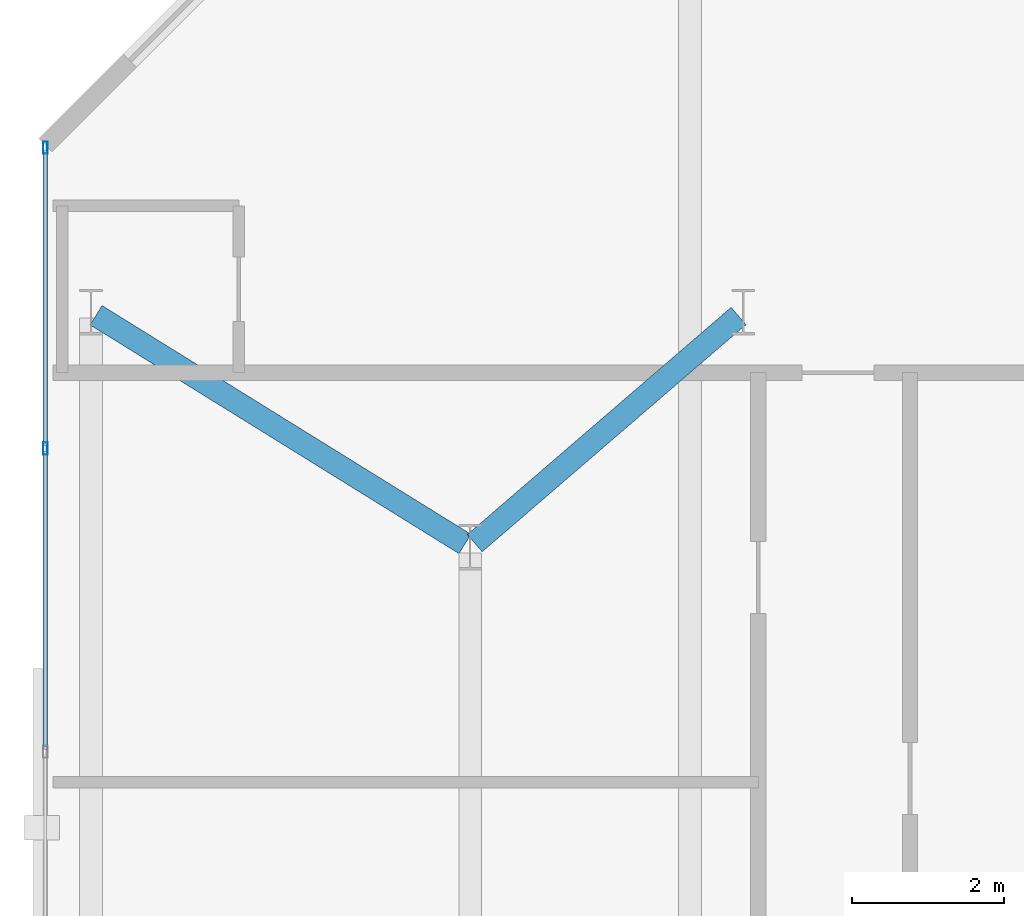
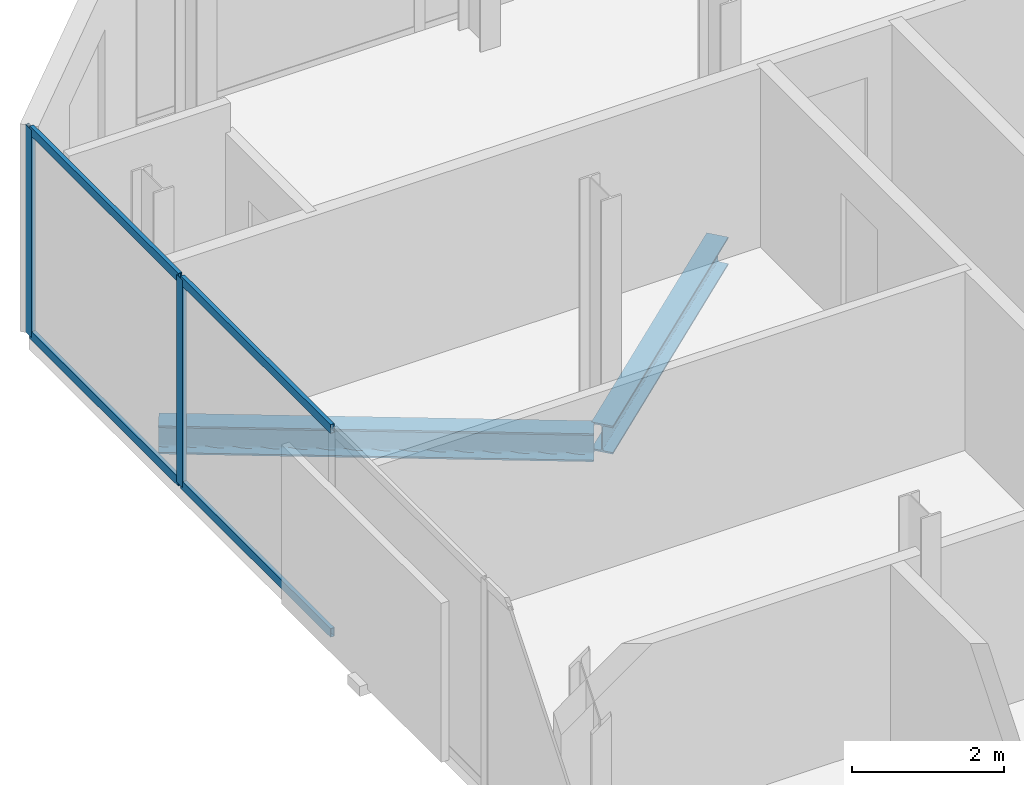
# One storey, part 17 of 32: 6 members, 2 beams, 1 element without a shape of its own.
"""IFC4 building model written with IfcOpenShell, lengths in metres."""

from ifc_helpers import new_model, si_unit, direction, frame, origin, origin_2d, place, context, subcontext, project, spatial, hollow_rectangle, i_section, extrude, material, layer, layer_set, material_profile, profile_set, type_object, element, aggregate, save


model = new_model("IFC4")

# Units and contexts
model_context = context("Model", 3, precision=1e-05, world=origin(), true_north=direction((0.0, 1.0)))
body_context = subcontext(model_context, "Body", "Model", "MODEL_VIEW")
ifc_project = project(units=[si_unit("LENGTHUNIT", "METRE"), si_unit("AREAUNIT", "SQUARE_METRE"), si_unit("VOLUMEUNIT", "CUBIC_METRE"), si_unit("PLANEANGLEUNIT", "RADIAN"), si_unit("MASSUNIT", "GRAM", prefix="KILO")], contexts=[model_context])

# Site, building, storey
site_placement = place(None, origin())
site = spatial("IfcSite", under=ifc_project, at=site_placement, CompositionType="ELEMENT")
building_placement = place(site_placement, origin())
building = spatial("IfcBuilding", under=site, at=building_placement, Name="Catumbela Crestline Tower", CompositionType="ELEMENT")
storey_placement = place(building_placement, frame((0.0, 0.0, 126.0)))
storey = spatial("IfcBuildingStorey", under=building, at=storey_placement, Name="L32", CompositionType="ELEMENT", Elevation=126.0)

# Beams
ifc_material_1 = material(Name="Structural steel S355J2", Category="steel")
ifc_material_profile_1 = material_profile(ifc_material_1, i_section(OverallWidth=0.3, OverallDepth=0.45, WebThickness=0.014, FlangeThickness=0.026, FilletRadius=0.027, at=origin_2d()), Name="HEB 450")
ifc_profile_set_1 = profile_set([ifc_material_profile_1], Name="Structural steel S355J2")
beam_type = type_object("IfcBeamType", Name="BG-HEB450", PredefinedType="BEAM", material=ifc_profile_set_1)
beam_1_placement = place(storey_placement, frame((0.668, 42.2578, -0.485), z_axis=(0.849908952007, -0.526929571479, 0.0), x_axis=(0.526929571479, 0.849908952007, 0.0)))
element("IfcBeam", 1, at=beam_1_placement, inside=storey, type_object=beam_type, Name="L32 Beam BM-L32-N12", PredefinedType="BEAM", context=body_context, shape_type="SweptSolid", body=[
    extrude(i_section(OverallWidth=0.3, OverallDepth=0.45, WebThickness=0.014, FlangeThickness=0.026, FilletRadius=0.027, at=origin_2d()), origin(), (0.0, 0.0, 1.0), 5.723),
])
beam_2_placement = place(storey_placement, frame((5.6606, 39.2522, -0.485), z_axis=(0.757772392559, 0.652518966066, 0.0), x_axis=(-0.652518966066, 0.757772392559, 0.0)))
element("IfcBeam", 2, at=beam_2_placement, inside=storey, type_object=beam_type, Name="L32 Beam BM-L32-N13", PredefinedType="BEAM", context=body_context, shape_type="SweptSolid", body=[
    extrude(i_section(OverallWidth=0.3, OverallDepth=0.45, WebThickness=0.014, FlangeThickness=0.026, FilletRadius=0.027, at=origin_2d()), origin(), (0.0, 0.0, 1.0), 4.5908),
])

# Curtain wall, members
ifc_material_2 = material(Name="Aluminium alloy AW-6060-T66", Category="aluminium")
ifc_layer = layer(ifc_material_2, 0.18, Name="Aluminium alloy AW-6060-T66")
ifc_layer_set = layer_set([ifc_layer], Name="Aluminium alloy AW-6060-T66")
curtain_wall_type = type_object("IfcCurtainWallType", Name="CWU-Z2", PredefinedType="USERDEFINED", material=ifc_layer_set)
curtain_wall_placement = place(storey_placement, origin())
curtain_wall = element("IfcCurtainWall", 3, at=curtain_wall_placement, inside=storey, type_object=curtain_wall_type, Name="L32 Unitised Curtain Wall CW-L32-E9S1", ObjectType="UNITISED", PredefinedType="USERDEFINED")
ifc_material_profile_2 = material_profile(ifc_material_2, hollow_rectangle(XDim=0.06, YDim=0.16, WallThickness=0.004, at=origin_2d()), Name="ALU 160x60x4")
ifc_profile_set_2 = profile_set([ifc_material_profile_2], Name="Aluminium alloy AW-6060-T66")
member_type_1 = type_object("IfcMemberType", Name="MUL-160X60", PredefinedType="MULLION", material=ifc_profile_set_2)
member_1_placement = place(storey_placement, frame((0.0, 44.4675, 0.0), z_axis=(0.0, 0.0, 1.0), x_axis=(1.0, 0.0, 0.0)))
member_1 = element("IfcMember", 4, at=member_1_placement, type_object=member_type_1, Name="CWU-Z2 mullion 1", PredefinedType="MULLION", context=body_context, shape_type="SweptSolid", body=[
    extrude(hollow_rectangle(XDim=0.06, YDim=0.16, WallThickness=0.004, at=origin_2d()), origin(), (0.0, 0.0, 1.0), 3.33),
])
member_2_placement = place(storey_placement, frame((0.0, 40.5, 0.0), z_axis=(0.0, 0.0, 1.0), x_axis=(1.0, 0.0, 0.0)))
member_2 = element("IfcMember", 5, at=member_2_placement, type_object=member_type_1, Name="CWU-Z2 mullion 2", PredefinedType="MULLION", context=body_context, shape_type="SweptSolid", body=[
    extrude(hollow_rectangle(XDim=0.06, YDim=0.16, WallThickness=0.004, at=origin_2d()), origin(), (0.0, 0.0, 1.0), 3.33),
])
ifc_material_profile_3 = material_profile(ifc_material_2, hollow_rectangle(XDim=0.06, YDim=0.14, WallThickness=0.004, at=origin_2d()), Name="ALU 140x60x4")
ifc_profile_set_3 = profile_set([ifc_material_profile_3], Name="Aluminium alloy AW-6060-T66")
member_type_2 = type_object("IfcMemberType", Name="TRN-140X60", PredefinedType="USERDEFINED", material=ifc_profile_set_3)
member_3_placement = place(storey_placement, frame((0.0, 44.435, 0.03), z_axis=(0.0, -1.0, 0.0), x_axis=(1.0, 0.0, 0.0)))
member_3 = element("IfcMember", 6, at=member_3_placement, type_object=member_type_2, Name="CWU-Z2 transom 1.1", ObjectType="TRANSOM", PredefinedType="USERDEFINED", context=body_context, shape_type="SweptSolid", body=[
    extrude(hollow_rectangle(XDim=0.06, YDim=0.14, WallThickness=0.004, at=origin_2d()), origin(), (0.0, 0.0, 1.0), 3.9025),
])
member_4_placement = place(storey_placement, frame((0.0, 44.435, 3.3), z_axis=(0.0, -1.0, 0.0), x_axis=(1.0, 0.0, 0.0)))
member_4 = element("IfcMember", 7, at=member_4_placement, type_object=member_type_2, Name="CWU-Z2 transom 1.2", ObjectType="TRANSOM", PredefinedType="USERDEFINED", context=body_context, shape_type="SweptSolid", body=[
    extrude(hollow_rectangle(XDim=0.06, YDim=0.14, WallThickness=0.004, at=origin_2d()), origin(), (0.0, 0.0, 1.0), 3.9025),
])
member_5_placement = place(storey_placement, frame((0.0, 40.4675, 0.03), z_axis=(0.0, -1.0, 0.0), x_axis=(1.0, 0.0, 0.0)))
member_5 = element("IfcMember", 8, at=member_5_placement, type_object=member_type_2, Name="CWU-Z2 transom 2.1", ObjectType="TRANSOM", PredefinedType="USERDEFINED", context=body_context, shape_type="SweptSolid", body=[
    extrude(hollow_rectangle(XDim=0.06, YDim=0.14, WallThickness=0.004, at=origin_2d()), origin(), (0.0, 0.0, 1.0), 3.935),
])
member_6_placement = place(storey_placement, frame((0.0, 40.4675, 3.3), z_axis=(0.0, -1.0, 0.0), x_axis=(1.0, 0.0, 0.0)))
member_6 = element("IfcMember", 9, at=member_6_placement, type_object=member_type_2, Name="CWU-Z2 transom 2.2", ObjectType="TRANSOM", PredefinedType="USERDEFINED", context=body_context, shape_type="SweptSolid", body=[
    extrude(hollow_rectangle(XDim=0.06, YDim=0.14, WallThickness=0.004, at=origin_2d()), origin(), (0.0, 0.0, 1.0), 3.935),
])
aggregate(curtain_wall, [member_1, member_2, member_3, member_4, member_5, member_6])

save(model, "model.ifc")
